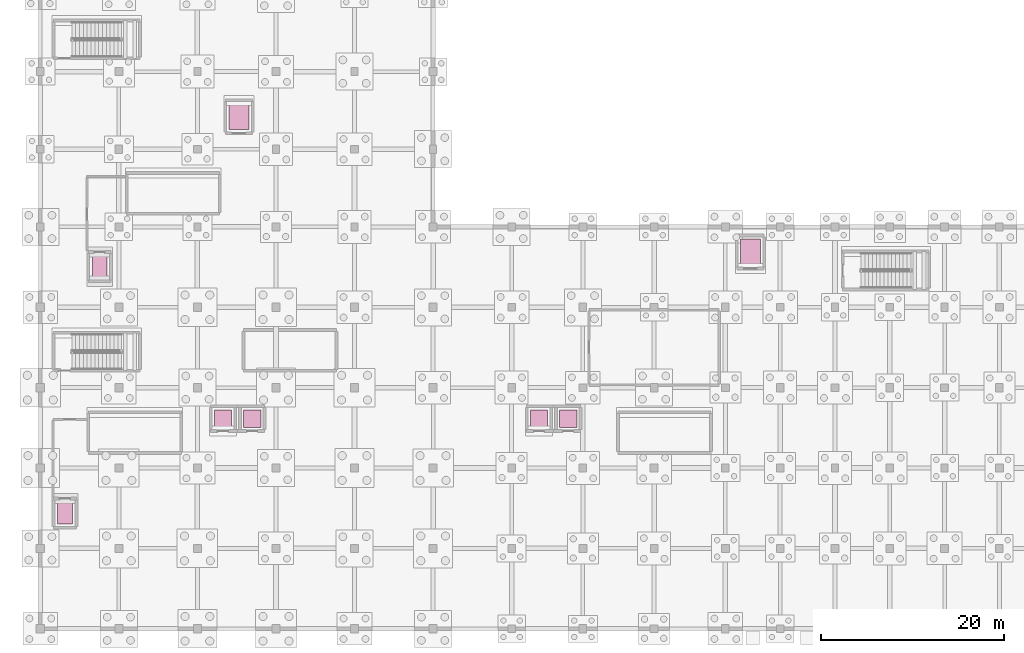
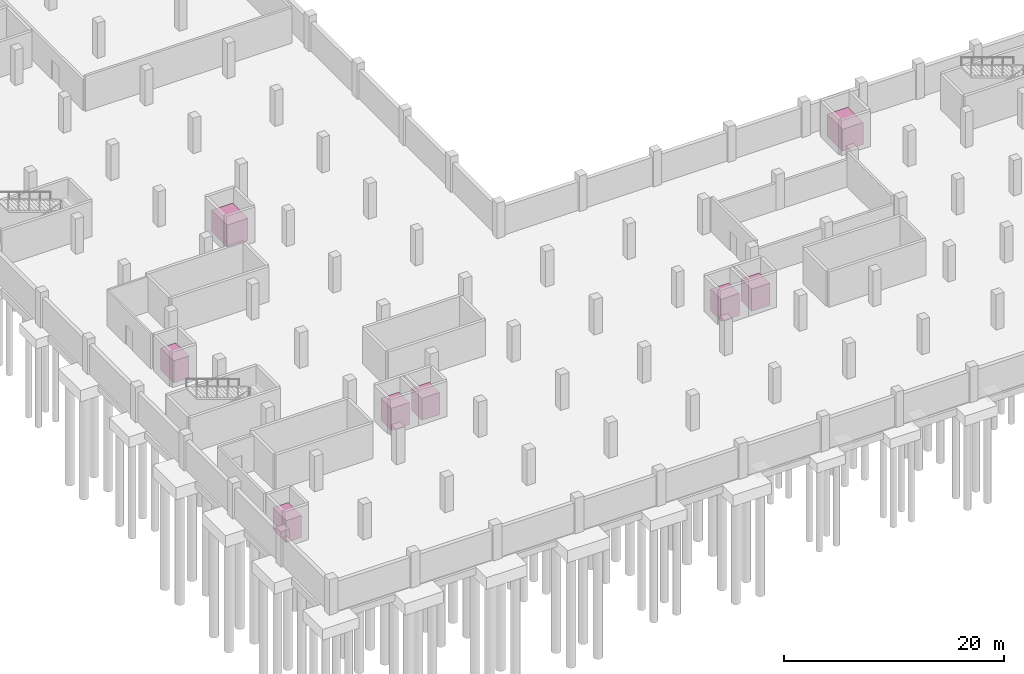
# One storey, part 28 of 28: 8 transport elements.
"""IFC4 building model written with IfcOpenShell, lengths in metres."""

from ifc_helpers import new_model, si_unit, direction, frame, origin, origin_2d, place, context, subcontext, project, spatial, rectangle, extrude, material, type_object, element, save


model = new_model("IFC4")

# Units and contexts
model_context = context("Model", 3, precision=1e-05, world=origin(), true_north=direction((0.0, 1.0)))
body_context = subcontext(model_context, "Body", "Model", "MODEL_VIEW")
ifc_project = project(units=[si_unit("LENGTHUNIT", "METRE"), si_unit("AREAUNIT", "SQUARE_METRE"), si_unit("VOLUMEUNIT", "CUBIC_METRE"), si_unit("PLANEANGLEUNIT", "RADIAN"), si_unit("MASSUNIT", "GRAM", prefix="KILO")], contexts=[model_context])

# Site, building, storey
site_placement = place(None, origin())
site = spatial("IfcSite", under=ifc_project, at=site_placement, CompositionType="ELEMENT")
building_placement = place(site_placement, origin())
building = spatial("IfcBuilding", under=site, at=building_placement, Name="Varnakota Cinema and Media Centre", CompositionType="ELEMENT")
storey_placement = place(building_placement, frame((0.0, 0.0, -4.199951171875)))
storey = spatial("IfcBuildingStorey", under=building, at=storey_placement, Name="B1", CompositionType="ELEMENT", Elevation=-4.199951171875)

# Transport elements
ifc_material_1 = material(Name="Structural steel Grade 350 (E350)", Category="steel")
transport_element_type_1 = type_object("IfcTransportElementType", Name="LIFT-FF-1600x2400", PredefinedType="ELEVATOR", material=ifc_material_1)
for number, where, z_axis, x_axis, name in (
    (1, (2.699951171875, 12.64990234375, 0.02001953125), (0.0, 0.0, 1.0), (1.0, 0.0, 0.0), "Firefighting Lift LF-01 Car"),
    (2, (6.5, 39.64990234375, 0.02001953125), (0.0, 0.0, 1.0), (1.0, 0.0, 0.0), "Firefighting Lift LF-02 Car"),
):
    element("IfcTransportElement", number, at=place(storey_placement, frame(where, z_axis=z_axis, x_axis=x_axis)), inside=storey, type_object=transport_element_type_1, Name=name, PredefinedType="ELEVATOR", context=body_context, shape_type="SweptSolid", body=[
        extrude(rectangle(XDim=1.60009765625, YDim=2.39990234375, at=origin_2d()), origin(), (0.0, 0.0, 1.0), 2.449951171875),
    ])
ifc_material_2 = material(Name="Structural steel Grade 350 (E350)", Category="steel")
transport_element_type_2 = type_object("IfcTransportElementType", Name="LIFT-GOODS-2200x2800", PredefinedType="ELEVATOR", material=ifc_material_2)
for number, where, z_axis, x_axis, name in (
    (3, (21.75, 56.050048828125, 0.02001953125), (0.0, 0.0, 1.0), (1.0, 0.0, 0.0), "Scene and Goods Lift LF-07 Car"),
    (4, (77.75, 41.25, 0.02001953125), (0.0, 0.0, 1.0), (1.0, 0.0, 0.0), "Broadcast Goods Lift LF-08 Car"),
):
    element("IfcTransportElement", number, at=place(storey_placement, frame(where, z_axis=z_axis, x_axis=x_axis)), inside=storey, type_object=transport_element_type_2, Name=name, PredefinedType="ELEVATOR", context=body_context, shape_type="SweptSolid", body=[
        extrude(rectangle(XDim=2.199951171875, YDim=2.800048828125, at=origin_2d()), origin(), (0.0, 0.0, 1.0), 2.449951171875),
    ])
ifc_material_3 = material(Name="Structural steel Grade 350 (E350)", Category="steel")
transport_element_type_3 = type_object("IfcTransportElementType", Name="LIFT-PASS-1900x1900", PredefinedType="ELEVATOR", material=ifc_material_3)
for number, where, z_axis, x_axis, name in (
    (5, (20.0, 23.0, 0.02001953125), (0.0, 0.0, 1.0), (1.0, 0.0, 0.0), "Passenger Lift LF-03 Car"),
    (6, (23.199951171875, 23.0, 0.02001953125), (0.0, 0.0, 1.0), (1.0, 0.0, 0.0), "Passenger Lift LF-04 Car"),
    (7, (54.60009765625, 23.0, 0.02001953125), (0.0, 0.0, 1.0), (1.0, 0.0, 0.0), "Passenger Lift LF-05 Car"),
    (8, (57.800048828125, 23.0, 0.02001953125), (0.0, 0.0, 1.0), (1.0, 0.0, 0.0), "Passenger Lift LF-06 Car"),
):
    element("IfcTransportElement", number, at=place(storey_placement, frame(where, z_axis=z_axis, x_axis=x_axis)), inside=storey, type_object=transport_element_type_3, Name=name, PredefinedType="ELEVATOR", context=body_context, shape_type="SweptSolid", body=[
        extrude(rectangle(XDim=1.89990234375, YDim=1.89990234375, at=origin_2d()), origin(), (0.0, 0.0, 1.0), 2.449951171875),
    ])

save(model, "model.ifc")
